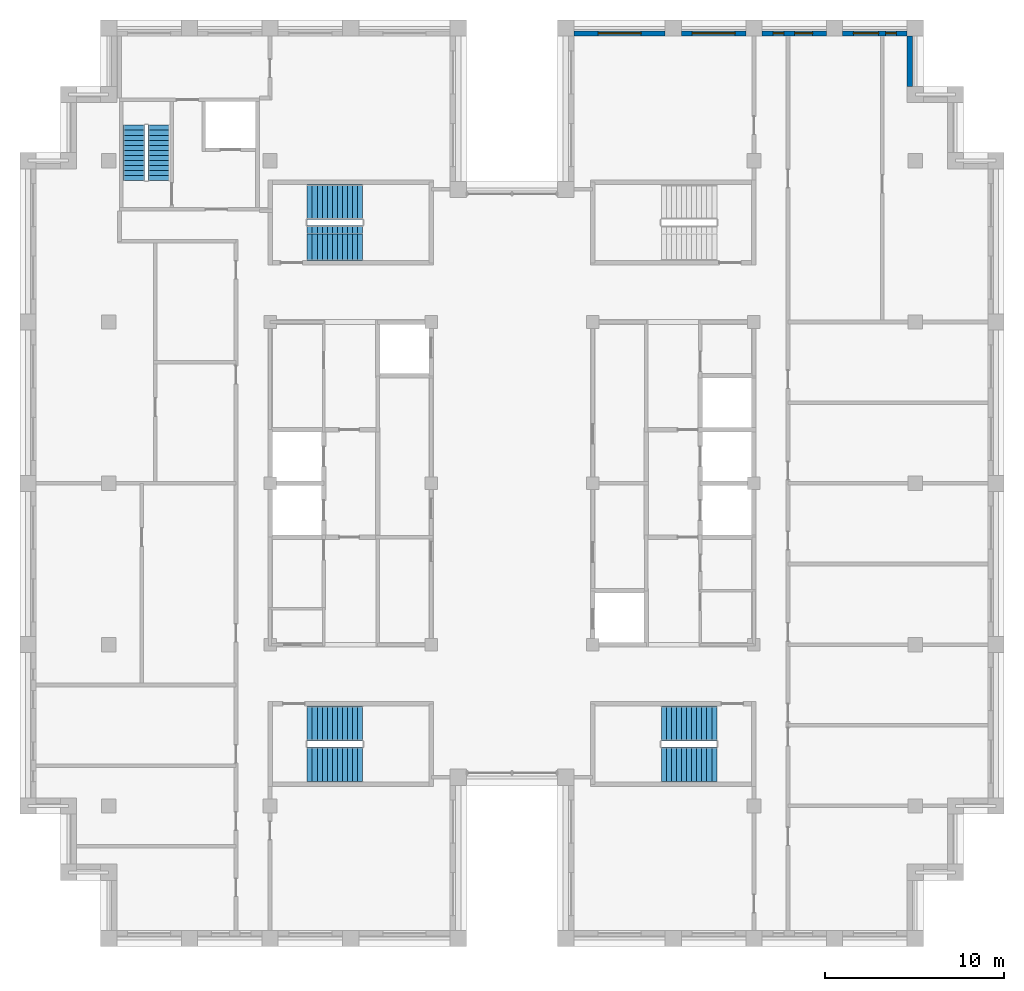
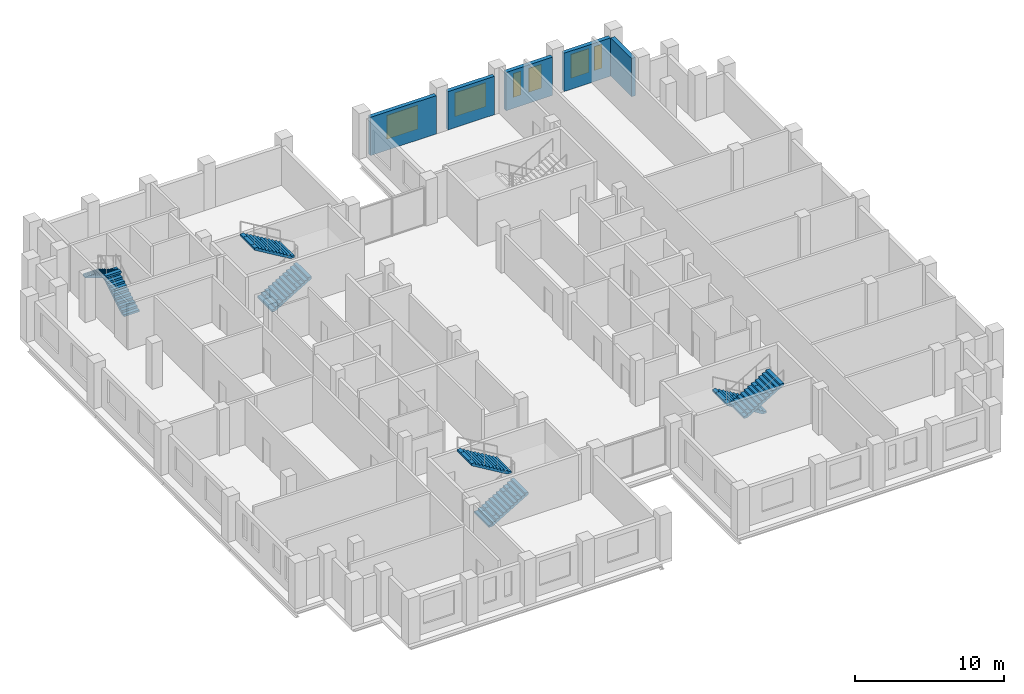
# One storey, part 11 of 13: 8 stair flights, 6 windows, 5 walls, 6 openings, 4 elements without a shape of their own.
"""IFC4 building model written with IfcOpenShell, lengths in metres."""

from ifc_helpers import new_model, si_unit, direction, frame, frame_2d, origin, place, context, subcontext, project, spatial, polyline, rectangle, outline, extrude, material, layer, layer_set, type_object, element, fill, aggregate, save


model = new_model("IFC4")

# Units and contexts
model_context = context("Model", 3, precision=1e-05, world=origin(), true_north=direction((0.0, 1.0)))
body_context = subcontext(model_context, "Body", "Model", "MODEL_VIEW")
ifc_project = project(units=[si_unit("LENGTHUNIT", "METRE"), si_unit("AREAUNIT", "SQUARE_METRE"), si_unit("VOLUMEUNIT", "CUBIC_METRE"), si_unit("PLANEANGLEUNIT", "RADIAN"), si_unit("MASSUNIT", "GRAM", prefix="KILO")], contexts=[model_context])

# Site, building, storey
site_placement = place(None, origin())
site = spatial("IfcSite", under=ifc_project, at=site_placement, CompositionType="ELEMENT")
building_placement = place(site_placement, origin())
building = spatial("IfcBuilding", under=site, at=building_placement, Name="Corbelhall Arena Tower", CompositionType="ELEMENT")
storey_placement = place(building_placement, frame((0.0, 0.0, 338.0)))
storey = spatial("IfcBuildingStorey", under=building, at=storey_placement, Name="L74", CompositionType="ELEMENT", Elevation=338.0)

# Wall
ifc_material_1 = material(Name="Precast concrete C40/50 with granite facing", Category="masonry")
ifc_layer = layer(ifc_material_1, 0.300048828125)
ifc_layer_set = layer_set([ifc_layer], Name="EV-IW1 Infill panel 300")
wall_type = type_object("IfcWallType", Name="EV-IW1 Infill panel 300", PredefinedType="SOLIDWALL", material=ifc_layer_set)
wall_1_placement = place(storey_placement, frame((22.199951171875, 22.14990234375, 0.0), z_axis=(0.0, 0.0, 1.0), x_axis=(0.0, 1.0, 0.0)))
element("IfcWall", 1, at=wall_1_placement, inside=storey, type_object=wall_type, Name="Infill panel IW1", PredefinedType="SOLIDWALL", context=body_context, shape_type="SweptSolid", body=[
    extrude(rectangle(XDim=2.800048828125, YDim=0.300048828125, at=frame_2d((1.39990234375, 0.0))), origin(), (0.0, 0.0, 1.0), 3.139892578125),
])

# Wall, openings, windows
wall_2_placement = place(storey_placement, frame((22.050048828125, 25.10009765625, 0.0), z_axis=(0.0, 0.0, 1.0), x_axis=(-1.0, 0.0, 0.0)))
wall_2 = element("IfcWall", 2, at=wall_2_placement, inside=storey, type_object=wall_type, Name="Infill panel IW1", PredefinedType="SOLIDWALL", context=body_context, shape_type="SweptSolid", body=[
    extrude(rectangle(XDim=3.60009765625, YDim=0.300048828125, at=frame_2d((1.800048828125, 0.0))), origin(), (0.0, 0.0, 1.0), 3.139892578125),
])
opening_1_placement = place(wall_2_placement, frame((0.60009765625, 0.0, 0.800048828125)))
opening_1 = element("IfcOpeningElement", 3, at=opening_1_placement, cuts=wall_2, Name="Opening WN5", PredefinedType="OPENING", context=body_context, shape_type="SweptSolid", body=[
    extrude(rectangle(XDim=0.60009765625, YDim=1.949951171875, at=frame_2d((0.300048828125, 0.97509765625))), frame((0.0, 0.14990234375, 0.0), z_axis=(0.0, -1.0, 0.0), x_axis=(1.0, 0.0, 0.0)), (0.0, 0.0, 1.0), 0.300048828125),
])
opening_2_placement = place(wall_2_placement, frame((1.60009765625, 0.0, 0.800048828125)))
opening_2 = element("IfcOpeningElement", 4, at=opening_2_placement, cuts=wall_2, Name="Opening WN7", PredefinedType="OPENING", context=body_context, shape_type="SweptSolid", body=[
    extrude(rectangle(XDim=1.39990234375, YDim=1.949951171875, at=frame_2d((0.699951171875, 0.97509765625))), frame((0.0, 0.14990234375, 0.0), z_axis=(0.0, -1.0, 0.0), x_axis=(1.0, 0.0, 0.0)), (0.0, 0.0, 1.0), 0.300048828125),
])
ifc_material_2 = material(Name="Aluminium black anodised", Category="aluminium")
window_type_1 = type_object("IfcWindowType", Name="EV-WN5 Office window 600", PartitioningType="SINGLE_PANEL", PredefinedType="WINDOW", material=ifc_material_2)
window_1_placement = place(opening_1_placement, origin())
window_1 = element("IfcWindow", 5, at=window_1_placement, inside=storey, type_object=window_type_1, Name="Window WN5", OverallHeight=1.949951171875, OverallWidth=0.60009765625, PartitioningType="SINGLE_PANEL", PredefinedType="WINDOW", context=body_context, shape_type="SweptSolid", body=[
    extrude(rectangle(XDim=0.60009765625, YDim=1.949951171875, at=frame_2d((0.300048828125, 0.97509765625))), frame((0.0, 0.030029296875, 0.0), z_axis=(0.0, -1.0, 0.0), x_axis=(1.0, 0.0, 0.0)), (0.0, 0.0, 1.0), 0.06005859375),
])
fill(opening_1, window_1)
window_type_2 = type_object("IfcWindowType", Name="EV-WN7 Office window 1400", PartitioningType="SINGLE_PANEL", PredefinedType="WINDOW", material=ifc_material_2)
window_2_placement = place(opening_2_placement, origin())
window_2 = element("IfcWindow", 6, at=window_2_placement, inside=storey, type_object=window_type_2, Name="Window WN7", OverallHeight=1.949951171875, OverallWidth=1.39990234375, PartitioningType="SINGLE_PANEL", PredefinedType="WINDOW", context=body_context, shape_type="SweptSolid", body=[
    extrude(rectangle(XDim=1.39990234375, YDim=1.949951171875, at=frame_2d((0.699951171875, 0.97509765625))), frame((0.0, 0.030029296875, 0.0), z_axis=(0.0, -1.0, 0.0), x_axis=(1.0, 0.0, 0.0)), (0.0, 0.0, 1.0), 0.06005859375),
])
fill(opening_2, window_2)

wall_3_placement = place(storey_placement, frame((17.550048828125, 25.10009765625, 0.0), z_axis=(0.0, 0.0, 1.0), x_axis=(-1.0, 0.0, 0.0)))
wall_3 = element("IfcWall", 7, at=wall_3_placement, inside=storey, type_object=wall_type, Name="Infill panel IW1", PredefinedType="SOLIDWALL", context=body_context, shape_type="SweptSolid", body=[
    extrude(rectangle(XDim=3.60009765625, YDim=0.300048828125, at=frame_2d((1.800048828125, 0.0))), origin(), (0.0, 0.0, 1.0), 3.139892578125),
])
opening_3_placement = place(wall_3_placement, frame((0.77490234375, 0.0, 0.800048828125)))
opening_3 = element("IfcOpeningElement", 8, at=opening_3_placement, cuts=wall_3, Name="Opening WN6", PredefinedType="OPENING", context=body_context, shape_type="SweptSolid", body=[
    extrude(rectangle(XDim=1.0, YDim=1.949951171875, at=frame_2d((0.5, 0.97509765625))), frame((0.0, 0.14990234375, 0.0), z_axis=(0.0, -1.0, 0.0), x_axis=(1.0, 0.0, 0.0)), (0.0, 0.0, 1.0), 0.300048828125),
])
opening_4_placement = place(wall_3_placement, frame((2.375, 0.0, 0.800048828125)))
opening_4 = element("IfcOpeningElement", 9, at=opening_4_placement, cuts=wall_3, Name="Opening WN5", PredefinedType="OPENING", context=body_context, shape_type="SweptSolid", body=[
    extrude(rectangle(XDim=0.60009765625, YDim=1.949951171875, at=frame_2d((0.300048828125, 0.97509765625))), frame((0.0, 0.14990234375, 0.0), z_axis=(0.0, -1.0, 0.0), x_axis=(1.0, 0.0, 0.0)), (0.0, 0.0, 1.0), 0.300048828125),
])
window_3_placement = place(opening_4_placement, origin())
window_3 = element("IfcWindow", 10, at=window_3_placement, inside=storey, type_object=window_type_1, Name="Window WN5", OverallHeight=1.949951171875, OverallWidth=0.60009765625, PartitioningType="SINGLE_PANEL", PredefinedType="WINDOW", context=body_context, shape_type="SweptSolid", body=[
    extrude(rectangle(XDim=0.60009765625, YDim=1.949951171875, at=frame_2d((0.300048828125, 0.97509765625))), frame((0.0, 0.030029296875, 0.0), z_axis=(0.0, -1.0, 0.0), x_axis=(1.0, 0.0, 0.0)), (0.0, 0.0, 1.0), 0.06005859375),
])
fill(opening_4, window_3)
window_type_3 = type_object("IfcWindowType", Name="EV-WN6 Office window 1000", PartitioningType="SINGLE_PANEL", PredefinedType="WINDOW", material=ifc_material_2)
window_4_placement = place(opening_3_placement, origin())
window_4 = element("IfcWindow", 11, at=window_4_placement, inside=storey, type_object=window_type_3, Name="Window WN6", OverallHeight=1.949951171875, OverallWidth=1.0, PartitioningType="SINGLE_PANEL", PredefinedType="WINDOW", context=body_context, shape_type="SweptSolid", body=[
    extrude(rectangle(XDim=1.0, YDim=1.949951171875, at=frame_2d((0.5, 0.97509765625))), frame((0.0, 0.030029296875, 0.0), z_axis=(0.0, -1.0, 0.0), x_axis=(1.0, 0.0, 0.0)), (0.0, 0.0, 1.0), 0.06005859375),
])
fill(opening_3, window_4)

# Wall, opening, window
wall_4_placement = place(storey_placement, frame((13.050048828125, 25.10009765625, 0.0), z_axis=(0.0, 0.0, 1.0), x_axis=(-1.0, 0.0, 0.0)))
wall_4 = element("IfcWall", 12, at=wall_4_placement, inside=storey, type_object=wall_type, Name="Infill panel IW1", PredefinedType="SOLIDWALL", context=body_context, shape_type="SweptSolid", body=[
    extrude(rectangle(XDim=3.60009765625, YDim=0.300048828125, at=frame_2d((1.800048828125, 0.0))), origin(), (0.0, 0.0, 1.0), 3.139892578125),
])
opening_5_placement = place(wall_4_placement, frame((0.60009765625, 0.0, 0.800048828125)))
opening_5 = element("IfcOpeningElement", 13, at=opening_5_placement, cuts=wall_4, Name="Opening WN1", PredefinedType="OPENING", context=body_context, shape_type="SweptSolid", body=[
    extrude(rectangle(XDim=2.39990234375, YDim=1.949951171875, at=frame_2d((1.199951171875, 0.97509765625))), frame((0.0, 0.14990234375, 0.0), z_axis=(0.0, -1.0, 0.0), x_axis=(1.0, 0.0, 0.0)), (0.0, 0.0, 1.0), 0.300048828125),
])
window_type_4 = type_object("IfcWindowType", Name="EV-WN1 Office window", PartitioningType="SINGLE_PANEL", PredefinedType="WINDOW", material=ifc_material_2)
window_5_placement = place(opening_5_placement, origin())
window_5 = element("IfcWindow", 14, at=window_5_placement, inside=storey, type_object=window_type_4, Name="Window WN1", OverallHeight=1.949951171875, OverallWidth=2.39990234375, PartitioningType="SINGLE_PANEL", PredefinedType="WINDOW", context=body_context, shape_type="SweptSolid", body=[
    extrude(rectangle(XDim=2.39990234375, YDim=1.949951171875, at=frame_2d((1.199951171875, 0.97509765625))), frame((0.0, 0.030029296875, 0.0), z_axis=(0.0, -1.0, 0.0), x_axis=(1.0, 0.0, 0.0)), (0.0, 0.0, 1.0), 0.06005859375),
])
fill(opening_5, window_5)

wall_5_placement = place(storey_placement, frame((8.550048828125, 25.10009765625, 0.0), z_axis=(0.0, 0.0, 1.0), x_axis=(-1.0, 0.0, 0.0)))
wall_5 = element("IfcWall", 15, at=wall_5_placement, inside=storey, type_object=wall_type, Name="Infill panel IW1", PredefinedType="SOLIDWALL", context=body_context, shape_type="SweptSolid", body=[
    extrude(rectangle(XDim=5.10009765625, YDim=0.300048828125, at=frame_2d((2.550048828125, 0.0))), origin(), (0.0, 0.0, 1.0), 3.139892578125),
])
opening_6_placement = place(wall_5_placement, frame((1.35009765625, 0.0, 0.800048828125)))
opening_6 = element("IfcOpeningElement", 16, at=opening_6_placement, cuts=wall_5, Name="Opening WN1", PredefinedType="OPENING", context=body_context, shape_type="SweptSolid", body=[
    extrude(rectangle(XDim=2.39990234375, YDim=1.949951171875, at=frame_2d((1.199951171875, 0.97509765625))), frame((0.0, 0.14990234375, 0.0), z_axis=(0.0, -1.0, 0.0), x_axis=(1.0, 0.0, 0.0)), (0.0, 0.0, 1.0), 0.300048828125),
])
window_6_placement = place(opening_6_placement, origin())
window_6 = element("IfcWindow", 17, at=window_6_placement, inside=storey, type_object=window_type_4, Name="Window WN1", OverallHeight=1.949951171875, OverallWidth=2.39990234375, PartitioningType="SINGLE_PANEL", PredefinedType="WINDOW", context=body_context, shape_type="SweptSolid", body=[
    extrude(rectangle(XDim=2.39990234375, YDim=1.949951171875, at=frame_2d((1.199951171875, 0.97509765625))), frame((0.0, 0.030029296875, 0.0), z_axis=(0.0, -1.0, 0.0), x_axis=(1.0, 0.0, 0.0)), (0.0, 0.0, 1.0), 0.06005859375),
])
fill(opening_6, window_6)

# Stair, stair flights
ifc_material_3 = material(Name="Concrete C40/50", Category="concrete")
stair_type = type_object("IfcStairType", Name="IN-ST-TOWER", PredefinedType="HALF_TURN_STAIR", material=ifc_material_3)
stair_1_placement = place(storey_placement, origin())
stair_1 = element("IfcStair", 18, at=stair_1_placement, inside=storey, type_object=stair_type, Name="L74 Exit stair ST1", PredefinedType="HALF_TURN_STAIR")
stair_flight_type = type_object("IfcStairFlightType", Name="IN-SFL-RC", PredefinedType="STRAIGHT", material=ifc_material_3)
stair_flight_1_placement = place(storey_placement, frame((-11.425048828125, 13.39990234375, 0.0), z_axis=(0.0, 0.0, 1.0), x_axis=(1.0, 0.0, 0.0)))
stair_flight_1 = element("IfcStairFlight", 19, at=stair_flight_1_placement, type_object=stair_flight_type, Name="ST1 flight 1", NumberOfRisers=12, NumberOfTreads=11, PredefinedType="STRAIGHT", RiserHeight=0.166666667, TreadLength=0.28, context=body_context, shape_type="SweptSolid", body=[
    extrude(outline(polyline([(0.0, 0.0), (0.0, 0.166748046875), (0.280029296875, 0.166748046875), (0.280029296875, 0.333251953125), (0.56005859375, 0.333251953125), (0.56005859375, 0.5), (0.840087890625, 0.5), (0.840087890625, 0.666748046875), (1.1201171875, 0.666748046875), (1.1201171875, 0.833251953125), (1.39990234375, 0.833251953125), (1.39990234375, 1.0), (1.679931640625, 1.0), (1.679931640625, 1.166748046875), (1.9599609375, 1.166748046875), (1.9599609375, 1.333251953125), (2.239990234375, 1.333251953125), (2.239990234375, 1.5), (2.52001953125, 1.5), (2.52001953125, 1.666748046875), (2.800048828125, 1.666748046875), (2.800048828125, 1.833251953125), (3.080078125, 1.833251953125), (3.080078125, 2.0), (3.080078125, 1.658935546875), (0.29296875, 0.0), (0.0, 0.0)])), frame((0.0, 0.97509765625, 0.0), z_axis=(0.0, -1.0, 0.0), x_axis=(1.0, 0.0, 0.0)), (0.0, 0.0, 1.0), 0.449951171875),
    extrude(outline(polyline([(0.0, 0.0), (0.0, 0.166748046875), (0.280029296875, 0.166748046875), (0.280029296875, 0.333251953125), (0.56005859375, 0.333251953125), (0.56005859375, 0.5), (0.840087890625, 0.5), (0.840087890625, 0.666748046875), (1.1201171875, 0.666748046875), (1.1201171875, 0.833251953125), (1.39990234375, 0.833251953125), (1.39990234375, 1.0), (1.679931640625, 1.0), (1.679931640625, 1.166748046875), (1.9599609375, 1.166748046875), (1.9599609375, 1.333251953125), (2.239990234375, 1.333251953125), (2.239990234375, 1.5), (2.52001953125, 1.5), (2.52001953125, 1.666748046875), (2.800048828125, 1.666748046875), (2.800048828125, 1.833251953125), (3.080078125, 1.833251953125), (3.080078125, 2.0), (3.080078125, 1.658935546875), (0.29296875, 0.0), (0.0, 0.0)])), frame((0.0, 0.52099609375, 0.0), z_axis=(0.0, -1.0, 0.0), x_axis=(1.0, 0.0, 0.0)), (0.0, 0.0, 1.0), 1.0419921875),
    extrude(outline(polyline([(0.0, 0.0), (0.0, 0.166748046875), (0.280029296875, 0.166748046875), (0.280029296875, 0.333251953125), (0.56005859375, 0.333251953125), (0.56005859375, 0.5), (0.840087890625, 0.5), (0.840087890625, 0.666748046875), (1.1201171875, 0.666748046875), (1.1201171875, 0.833251953125), (1.39990234375, 0.833251953125), (1.39990234375, 1.0), (1.679931640625, 1.0), (1.679931640625, 1.166748046875), (1.9599609375, 1.166748046875), (1.9599609375, 1.333251953125), (2.239990234375, 1.333251953125), (2.239990234375, 1.5), (2.52001953125, 1.5), (2.52001953125, 1.666748046875), (2.800048828125, 1.666748046875), (2.800048828125, 1.833251953125), (3.080078125, 1.833251953125), (3.080078125, 2.0), (3.080078125, 1.658935546875), (0.29296875, 0.0), (0.0, 0.0)])), frame((0.0, -0.52490234375, 0.0), z_axis=(0.0, -1.0, 0.0), x_axis=(1.0, 0.0, 0.0)), (0.0, 0.0, 1.0), 0.449951171875),
])
stair_flight_2_placement = place(storey_placement, frame((-8.344970703125, 15.699951171875, 2.0), z_axis=(0.0, 0.0, 1.0), x_axis=(-1.0, 0.0, 0.0)))
stair_flight_2 = element("IfcStairFlight", 20, at=stair_flight_2_placement, type_object=stair_flight_type, Name="ST1 flight 2", NumberOfRisers=12, NumberOfTreads=11, PredefinedType="STRAIGHT", RiserHeight=0.166666667, TreadLength=0.28, context=body_context, shape_type="SweptSolid", body=[
    extrude(outline(polyline([(0.0, 0.0), (0.0, 0.166748046875), (0.280029296875, 0.166748046875), (0.280029296875, 0.333251953125), (0.56005859375, 0.333251953125), (0.56005859375, 0.5), (0.840087890625, 0.5), (0.840087890625, 0.666748046875), (1.1201171875, 0.666748046875), (1.1201171875, 0.833251953125), (1.39990234375, 0.833251953125), (1.39990234375, 1.0), (1.679931640625, 1.0), (1.679931640625, 1.166748046875), (1.9599609375, 1.166748046875), (1.9599609375, 1.333251953125), (2.239990234375, 1.333251953125), (2.239990234375, 1.5), (2.52001953125, 1.5), (2.52001953125, 1.666748046875), (2.800048828125, 1.666748046875), (2.800048828125, 1.833251953125), (3.080078125, 1.833251953125), (3.080078125, 2.0), (3.080078125, 1.658935546875), (0.29296875, 0.0), (0.0, 0.0)])), frame((0.0, 0.97509765625, 0.0), z_axis=(0.0, -1.0, 0.0), x_axis=(1.0, 0.0, 0.0)), (0.0, 0.0, 1.0), 0.449951171875),
    extrude(outline(polyline([(0.0, 0.0), (0.0, 0.166748046875), (0.280029296875, 0.166748046875), (0.280029296875, 0.333251953125), (0.56005859375, 0.333251953125), (0.56005859375, 0.5), (0.840087890625, 0.5), (0.840087890625, 0.666748046875), (1.1201171875, 0.666748046875), (1.1201171875, 0.833251953125), (1.39990234375, 0.833251953125), (1.39990234375, 1.0), (1.679931640625, 1.0), (1.679931640625, 1.166748046875), (1.9599609375, 1.166748046875), (1.9599609375, 1.333251953125), (2.239990234375, 1.333251953125), (2.239990234375, 1.5), (2.52001953125, 1.5), (2.52001953125, 1.666748046875), (2.800048828125, 1.666748046875), (2.800048828125, 1.833251953125), (3.080078125, 1.833251953125), (3.080078125, 2.0), (3.080078125, 1.658935546875), (0.29296875, 0.0), (0.0, 0.0)])), frame((0.0, 0.52099609375, 0.0), z_axis=(0.0, -1.0, 0.0), x_axis=(1.0, 0.0, 0.0)), (0.0, 0.0, 1.0), 1.0419921875),
    extrude(outline(polyline([(0.0, 0.0), (0.0, 0.166748046875), (0.280029296875, 0.166748046875), (0.280029296875, 0.333251953125), (0.56005859375, 0.333251953125), (0.56005859375, 0.5), (0.840087890625, 0.5), (0.840087890625, 0.666748046875), (1.1201171875, 0.666748046875), (1.1201171875, 0.833251953125), (1.39990234375, 0.833251953125), (1.39990234375, 1.0), (1.679931640625, 1.0), (1.679931640625, 1.166748046875), (1.9599609375, 1.166748046875), (1.9599609375, 1.333251953125), (2.239990234375, 1.333251953125), (2.239990234375, 1.5), (2.52001953125, 1.5), (2.52001953125, 1.666748046875), (2.800048828125, 1.666748046875), (2.800048828125, 1.833251953125), (3.080078125, 1.833251953125), (3.080078125, 2.0), (3.080078125, 1.658935546875), (0.29296875, 0.0), (0.0, 0.0)])), frame((0.0, -0.52490234375, 0.0), z_axis=(0.0, -1.0, 0.0), x_axis=(1.0, 0.0, 0.0)), (0.0, 0.0, 1.0), 0.449951171875),
])
aggregate(stair_1, [stair_flight_1, stair_flight_2])

stair_2_placement = place(storey_placement, origin())
stair_2 = element("IfcStair", 21, at=stair_2_placement, inside=storey, type_object=stair_type, Name="L74 Exit stair ST2", PredefinedType="HALF_TURN_STAIR")
stair_flight_3_placement = place(storey_placement, frame((-11.425048828125, -15.699951171875, 0.0), z_axis=(0.0, 0.0, 1.0), x_axis=(1.0, 0.0, 0.0)))
stair_flight_3 = element("IfcStairFlight", 22, at=stair_flight_3_placement, type_object=stair_flight_type, Name="ST2 flight 1", NumberOfRisers=12, NumberOfTreads=11, PredefinedType="STRAIGHT", RiserHeight=0.166666667, TreadLength=0.28, context=body_context, shape_type="SweptSolid", body=[
    extrude(outline(polyline([(0.0, 0.0), (0.0, 0.166748046875), (0.280029296875, 0.166748046875), (0.280029296875, 0.333251953125), (0.56005859375, 0.333251953125), (0.56005859375, 0.5), (0.840087890625, 0.5), (0.840087890625, 0.666748046875), (1.1201171875, 0.666748046875), (1.1201171875, 0.833251953125), (1.39990234375, 0.833251953125), (1.39990234375, 1.0), (1.679931640625, 1.0), (1.679931640625, 1.166748046875), (1.9599609375, 1.166748046875), (1.9599609375, 1.333251953125), (2.239990234375, 1.333251953125), (2.239990234375, 1.5), (2.52001953125, 1.5), (2.52001953125, 1.666748046875), (2.800048828125, 1.666748046875), (2.800048828125, 1.833251953125), (3.080078125, 1.833251953125), (3.080078125, 2.0), (3.080078125, 1.658935546875), (0.29296875, 0.0), (0.0, 0.0)])), frame((0.0, 0.97509765625, 0.0), z_axis=(0.0, -1.0, 0.0), x_axis=(1.0, 0.0, 0.0)), (0.0, 0.0, 1.0), 0.449951171875),
    extrude(outline(polyline([(0.0, 0.0), (0.0, 0.166748046875), (0.280029296875, 0.166748046875), (0.280029296875, 0.333251953125), (0.56005859375, 0.333251953125), (0.56005859375, 0.5), (0.840087890625, 0.5), (0.840087890625, 0.666748046875), (1.1201171875, 0.666748046875), (1.1201171875, 0.833251953125), (1.39990234375, 0.833251953125), (1.39990234375, 1.0), (1.679931640625, 1.0), (1.679931640625, 1.166748046875), (1.9599609375, 1.166748046875), (1.9599609375, 1.333251953125), (2.239990234375, 1.333251953125), (2.239990234375, 1.5), (2.52001953125, 1.5), (2.52001953125, 1.666748046875), (2.800048828125, 1.666748046875), (2.800048828125, 1.833251953125), (3.080078125, 1.833251953125), (3.080078125, 2.0), (3.080078125, 1.658935546875), (0.29296875, 0.0), (0.0, 0.0)])), frame((0.0, 0.52099609375, 0.0), z_axis=(0.0, -1.0, 0.0), x_axis=(1.0, 0.0, 0.0)), (0.0, 0.0, 1.0), 1.0419921875),
    extrude(outline(polyline([(0.0, 0.0), (0.0, 0.166748046875), (0.280029296875, 0.166748046875), (0.280029296875, 0.333251953125), (0.56005859375, 0.333251953125), (0.56005859375, 0.5), (0.840087890625, 0.5), (0.840087890625, 0.666748046875), (1.1201171875, 0.666748046875), (1.1201171875, 0.833251953125), (1.39990234375, 0.833251953125), (1.39990234375, 1.0), (1.679931640625, 1.0), (1.679931640625, 1.166748046875), (1.9599609375, 1.166748046875), (1.9599609375, 1.333251953125), (2.239990234375, 1.333251953125), (2.239990234375, 1.5), (2.52001953125, 1.5), (2.52001953125, 1.666748046875), (2.800048828125, 1.666748046875), (2.800048828125, 1.833251953125), (3.080078125, 1.833251953125), (3.080078125, 2.0), (3.080078125, 1.658935546875), (0.29296875, 0.0), (0.0, 0.0)])), frame((0.0, -0.52490234375, 0.0), z_axis=(0.0, -1.0, 0.0), x_axis=(1.0, 0.0, 0.0)), (0.0, 0.0, 1.0), 0.449951171875),
])
stair_flight_4_placement = place(storey_placement, frame((-8.344970703125, -13.39990234375, 2.0), z_axis=(0.0, 0.0, 1.0), x_axis=(-1.0, 0.0, 0.0)))
stair_flight_4 = element("IfcStairFlight", 23, at=stair_flight_4_placement, type_object=stair_flight_type, Name="ST2 flight 2", NumberOfRisers=12, NumberOfTreads=11, PredefinedType="STRAIGHT", RiserHeight=0.166666667, TreadLength=0.28, context=body_context, shape_type="SweptSolid", body=[
    extrude(outline(polyline([(0.0, 0.0), (0.0, 0.166748046875), (0.280029296875, 0.166748046875), (0.280029296875, 0.333251953125), (0.56005859375, 0.333251953125), (0.56005859375, 0.5), (0.840087890625, 0.5), (0.840087890625, 0.666748046875), (1.1201171875, 0.666748046875), (1.1201171875, 0.833251953125), (1.39990234375, 0.833251953125), (1.39990234375, 1.0), (1.679931640625, 1.0), (1.679931640625, 1.166748046875), (1.9599609375, 1.166748046875), (1.9599609375, 1.333251953125), (2.239990234375, 1.333251953125), (2.239990234375, 1.5), (2.52001953125, 1.5), (2.52001953125, 1.666748046875), (2.800048828125, 1.666748046875), (2.800048828125, 1.833251953125), (3.080078125, 1.833251953125), (3.080078125, 2.0), (3.080078125, 1.658935546875), (0.29296875, 0.0), (0.0, 0.0)])), frame((0.0, 0.97509765625, 0.0), z_axis=(0.0, -1.0, 0.0), x_axis=(1.0, 0.0, 0.0)), (0.0, 0.0, 1.0), 0.449951171875),
    extrude(outline(polyline([(0.0, 0.0), (0.0, 0.166748046875), (0.280029296875, 0.166748046875), (0.280029296875, 0.333251953125), (0.56005859375, 0.333251953125), (0.56005859375, 0.5), (0.840087890625, 0.5), (0.840087890625, 0.666748046875), (1.1201171875, 0.666748046875), (1.1201171875, 0.833251953125), (1.39990234375, 0.833251953125), (1.39990234375, 1.0), (1.679931640625, 1.0), (1.679931640625, 1.166748046875), (1.9599609375, 1.166748046875), (1.9599609375, 1.333251953125), (2.239990234375, 1.333251953125), (2.239990234375, 1.5), (2.52001953125, 1.5), (2.52001953125, 1.666748046875), (2.800048828125, 1.666748046875), (2.800048828125, 1.833251953125), (3.080078125, 1.833251953125), (3.080078125, 2.0), (3.080078125, 1.658935546875), (0.29296875, 0.0), (0.0, 0.0)])), frame((0.0, 0.52099609375, 0.0), z_axis=(0.0, -1.0, 0.0), x_axis=(1.0, 0.0, 0.0)), (0.0, 0.0, 1.0), 1.0419921875),
    extrude(outline(polyline([(0.0, 0.0), (0.0, 0.166748046875), (0.280029296875, 0.166748046875), (0.280029296875, 0.333251953125), (0.56005859375, 0.333251953125), (0.56005859375, 0.5), (0.840087890625, 0.5), (0.840087890625, 0.666748046875), (1.1201171875, 0.666748046875), (1.1201171875, 0.833251953125), (1.39990234375, 0.833251953125), (1.39990234375, 1.0), (1.679931640625, 1.0), (1.679931640625, 1.166748046875), (1.9599609375, 1.166748046875), (1.9599609375, 1.333251953125), (2.239990234375, 1.333251953125), (2.239990234375, 1.5), (2.52001953125, 1.5), (2.52001953125, 1.666748046875), (2.800048828125, 1.666748046875), (2.800048828125, 1.833251953125), (3.080078125, 1.833251953125), (3.080078125, 2.0), (3.080078125, 1.658935546875), (0.29296875, 0.0), (0.0, 0.0)])), frame((0.0, -0.52490234375, 0.0), z_axis=(0.0, -1.0, 0.0), x_axis=(1.0, 0.0, 0.0)), (0.0, 0.0, 1.0), 0.449951171875),
])
aggregate(stair_2, [stair_flight_3, stair_flight_4])

stair_3_placement = place(storey_placement, origin())
stair_3 = element("IfcStair", 24, at=stair_3_placement, inside=storey, type_object=stair_type, Name="L74 Exit stair ST4", PredefinedType="HALF_TURN_STAIR")
stair_flight_5_placement = place(storey_placement, frame((11.425048828125, -13.39990234375, 0.0), z_axis=(0.0, 0.0, 1.0), x_axis=(-1.0, 0.0, 0.0)))
stair_flight_5 = element("IfcStairFlight", 25, at=stair_flight_5_placement, type_object=stair_flight_type, Name="ST4 flight 1", NumberOfRisers=12, NumberOfTreads=11, PredefinedType="STRAIGHT", RiserHeight=0.166666667, TreadLength=0.28, context=body_context, shape_type="SweptSolid", body=[
    extrude(outline(polyline([(0.0, 0.0), (0.0, 0.166748046875), (0.280029296875, 0.166748046875), (0.280029296875, 0.333251953125), (0.56005859375, 0.333251953125), (0.56005859375, 0.5), (0.840087890625, 0.5), (0.840087890625, 0.666748046875), (1.1201171875, 0.666748046875), (1.1201171875, 0.833251953125), (1.39990234375, 0.833251953125), (1.39990234375, 1.0), (1.679931640625, 1.0), (1.679931640625, 1.166748046875), (1.9599609375, 1.166748046875), (1.9599609375, 1.333251953125), (2.239990234375, 1.333251953125), (2.239990234375, 1.5), (2.52001953125, 1.5), (2.52001953125, 1.666748046875), (2.800048828125, 1.666748046875), (2.800048828125, 1.833251953125), (3.080078125, 1.833251953125), (3.080078125, 2.0), (3.080078125, 1.658935546875), (0.29296875, 0.0), (0.0, 0.0)])), frame((0.0, 0.97509765625, 0.0), z_axis=(0.0, -1.0, 0.0), x_axis=(1.0, 0.0, 0.0)), (0.0, 0.0, 1.0), 0.449951171875),
    extrude(outline(polyline([(0.0, 0.0), (0.0, 0.166748046875), (0.280029296875, 0.166748046875), (0.280029296875, 0.333251953125), (0.56005859375, 0.333251953125), (0.56005859375, 0.5), (0.840087890625, 0.5), (0.840087890625, 0.666748046875), (1.1201171875, 0.666748046875), (1.1201171875, 0.833251953125), (1.39990234375, 0.833251953125), (1.39990234375, 1.0), (1.679931640625, 1.0), (1.679931640625, 1.166748046875), (1.9599609375, 1.166748046875), (1.9599609375, 1.333251953125), (2.239990234375, 1.333251953125), (2.239990234375, 1.5), (2.52001953125, 1.5), (2.52001953125, 1.666748046875), (2.800048828125, 1.666748046875), (2.800048828125, 1.833251953125), (3.080078125, 1.833251953125), (3.080078125, 2.0), (3.080078125, 1.658935546875), (0.29296875, 0.0), (0.0, 0.0)])), frame((0.0, 0.52099609375, 0.0), z_axis=(0.0, -1.0, 0.0), x_axis=(1.0, 0.0, 0.0)), (0.0, 0.0, 1.0), 1.0419921875),
    extrude(outline(polyline([(0.0, 0.0), (0.0, 0.166748046875), (0.280029296875, 0.166748046875), (0.280029296875, 0.333251953125), (0.56005859375, 0.333251953125), (0.56005859375, 0.5), (0.840087890625, 0.5), (0.840087890625, 0.666748046875), (1.1201171875, 0.666748046875), (1.1201171875, 0.833251953125), (1.39990234375, 0.833251953125), (1.39990234375, 1.0), (1.679931640625, 1.0), (1.679931640625, 1.166748046875), (1.9599609375, 1.166748046875), (1.9599609375, 1.333251953125), (2.239990234375, 1.333251953125), (2.239990234375, 1.5), (2.52001953125, 1.5), (2.52001953125, 1.666748046875), (2.800048828125, 1.666748046875), (2.800048828125, 1.833251953125), (3.080078125, 1.833251953125), (3.080078125, 2.0), (3.080078125, 1.658935546875), (0.29296875, 0.0), (0.0, 0.0)])), frame((0.0, -0.52490234375, 0.0), z_axis=(0.0, -1.0, 0.0), x_axis=(1.0, 0.0, 0.0)), (0.0, 0.0, 1.0), 0.449951171875),
])
stair_flight_6_placement = place(storey_placement, frame((8.344970703125, -15.699951171875, 2.0), z_axis=(0.0, 0.0, 1.0), x_axis=(1.0, 0.0, 0.0)))
stair_flight_6 = element("IfcStairFlight", 26, at=stair_flight_6_placement, type_object=stair_flight_type, Name="ST4 flight 2", NumberOfRisers=12, NumberOfTreads=11, PredefinedType="STRAIGHT", RiserHeight=0.166666667, TreadLength=0.28, context=body_context, shape_type="SweptSolid", body=[
    extrude(outline(polyline([(0.0, 0.0), (0.0, 0.166748046875), (0.280029296875, 0.166748046875), (0.280029296875, 0.333251953125), (0.56005859375, 0.333251953125), (0.56005859375, 0.5), (0.840087890625, 0.5), (0.840087890625, 0.666748046875), (1.1201171875, 0.666748046875), (1.1201171875, 0.833251953125), (1.39990234375, 0.833251953125), (1.39990234375, 1.0), (1.679931640625, 1.0), (1.679931640625, 1.166748046875), (1.9599609375, 1.166748046875), (1.9599609375, 1.333251953125), (2.239990234375, 1.333251953125), (2.239990234375, 1.5), (2.52001953125, 1.5), (2.52001953125, 1.666748046875), (2.800048828125, 1.666748046875), (2.800048828125, 1.833251953125), (3.080078125, 1.833251953125), (3.080078125, 2.0), (3.080078125, 1.658935546875), (0.29296875, 0.0), (0.0, 0.0)])), frame((0.0, 0.97509765625, 0.0), z_axis=(0.0, -1.0, 0.0), x_axis=(1.0, 0.0, 0.0)), (0.0, 0.0, 1.0), 0.449951171875),
    extrude(outline(polyline([(0.0, 0.0), (0.0, 0.166748046875), (0.280029296875, 0.166748046875), (0.280029296875, 0.333251953125), (0.56005859375, 0.333251953125), (0.56005859375, 0.5), (0.840087890625, 0.5), (0.840087890625, 0.666748046875), (1.1201171875, 0.666748046875), (1.1201171875, 0.833251953125), (1.39990234375, 0.833251953125), (1.39990234375, 1.0), (1.679931640625, 1.0), (1.679931640625, 1.166748046875), (1.9599609375, 1.166748046875), (1.9599609375, 1.333251953125), (2.239990234375, 1.333251953125), (2.239990234375, 1.5), (2.52001953125, 1.5), (2.52001953125, 1.666748046875), (2.800048828125, 1.666748046875), (2.800048828125, 1.833251953125), (3.080078125, 1.833251953125), (3.080078125, 2.0), (3.080078125, 1.658935546875), (0.29296875, 0.0), (0.0, 0.0)])), frame((0.0, 0.52099609375, 0.0), z_axis=(0.0, -1.0, 0.0), x_axis=(1.0, 0.0, 0.0)), (0.0, 0.0, 1.0), 1.0419921875),
    extrude(outline(polyline([(0.0, 0.0), (0.0, 0.166748046875), (0.280029296875, 0.166748046875), (0.280029296875, 0.333251953125), (0.56005859375, 0.333251953125), (0.56005859375, 0.5), (0.840087890625, 0.5), (0.840087890625, 0.666748046875), (1.1201171875, 0.666748046875), (1.1201171875, 0.833251953125), (1.39990234375, 0.833251953125), (1.39990234375, 1.0), (1.679931640625, 1.0), (1.679931640625, 1.166748046875), (1.9599609375, 1.166748046875), (1.9599609375, 1.333251953125), (2.239990234375, 1.333251953125), (2.239990234375, 1.5), (2.52001953125, 1.5), (2.52001953125, 1.666748046875), (2.800048828125, 1.666748046875), (2.800048828125, 1.833251953125), (3.080078125, 1.833251953125), (3.080078125, 2.0), (3.080078125, 1.658935546875), (0.29296875, 0.0), (0.0, 0.0)])), frame((0.0, -0.52490234375, 0.0), z_axis=(0.0, -1.0, 0.0), x_axis=(1.0, 0.0, 0.0)), (0.0, 0.0, 1.0), 0.449951171875),
])
aggregate(stair_3, [stair_flight_5, stair_flight_6])

stair_4_placement = place(storey_placement, origin())
stair_4 = element("IfcStair", 27, at=stair_4_placement, inside=storey, type_object=stair_type, Name="L74 Exit stair ST5", PredefinedType="HALF_TURN_STAIR")
stair_flight_7_placement = place(storey_placement, frame((-19.695068359375, 16.89990234375, 0.0), z_axis=(0.0, 0.0, 1.0), x_axis=(0.0, 1.0, 0.0)))
stair_flight_7 = element("IfcStairFlight", 28, at=stair_flight_7_placement, type_object=stair_flight_type, Name="ST5 flight 1", NumberOfRisers=12, NumberOfTreads=11, PredefinedType="STRAIGHT", RiserHeight=0.166666667, TreadLength=0.28, context=body_context, shape_type="SweptSolid", body=[
    extrude(outline(polyline([(0.0, 0.0), (0.0, 0.166748046875), (0.280029296875, 0.166748046875), (0.280029296875, 0.333251953125), (0.56005859375, 0.333251953125), (0.56005859375, 0.5), (0.840087890625, 0.5), (0.840087890625, 0.666748046875), (1.1201171875, 0.666748046875), (1.1201171875, 0.833251953125), (1.39990234375, 0.833251953125), (1.39990234375, 1.0), (1.679931640625, 1.0), (1.679931640625, 1.166748046875), (1.9599609375, 1.166748046875), (1.9599609375, 1.333251953125), (2.239990234375, 1.333251953125), (2.239990234375, 1.5), (2.52001953125, 1.5), (2.52001953125, 1.666748046875), (2.800048828125, 1.666748046875), (2.800048828125, 1.833251953125), (3.080078125, 1.833251953125), (3.080078125, 2.0), (3.080078125, 1.658935546875), (0.29296875, 0.0), (0.0, 0.0)])), frame((0.0, 0.60009765625, 0.0), z_axis=(0.0, -1.0, 0.0), x_axis=(1.0, 0.0, 0.0)), (0.0, 0.0, 1.0), 1.199951171875),
])
stair_flight_8_placement = place(storey_placement, frame((-21.094970703125, 19.97998046875, 2.0), z_axis=(0.0, 0.0, 1.0), x_axis=(0.0, -1.0, 0.0)))
stair_flight_8 = element("IfcStairFlight", 29, at=stair_flight_8_placement, type_object=stair_flight_type, Name="ST5 flight 2", NumberOfRisers=12, NumberOfTreads=11, PredefinedType="STRAIGHT", RiserHeight=0.166666667, TreadLength=0.28, context=body_context, shape_type="SweptSolid", body=[
    extrude(outline(polyline([(0.0, 0.0), (0.0, 0.166748046875), (0.280029296875, 0.166748046875), (0.280029296875, 0.333251953125), (0.56005859375, 0.333251953125), (0.56005859375, 0.5), (0.840087890625, 0.5), (0.840087890625, 0.666748046875), (1.1201171875, 0.666748046875), (1.1201171875, 0.833251953125), (1.39990234375, 0.833251953125), (1.39990234375, 1.0), (1.679931640625, 1.0), (1.679931640625, 1.166748046875), (1.9599609375, 1.166748046875), (1.9599609375, 1.333251953125), (2.239990234375, 1.333251953125), (2.239990234375, 1.5), (2.52001953125, 1.5), (2.52001953125, 1.666748046875), (2.800048828125, 1.666748046875), (2.800048828125, 1.833251953125), (3.080078125, 1.833251953125), (3.080078125, 2.0), (3.080078125, 1.658935546875), (0.29296875, 0.0), (0.0, 0.0)])), frame((0.0, 0.60009765625, 0.0), z_axis=(0.0, -1.0, 0.0), x_axis=(1.0, 0.0, 0.0)), (0.0, 0.0, 1.0), 1.199951171875),
])
aggregate(stair_4, [stair_flight_7, stair_flight_8])

save(model, "model.ifc")
